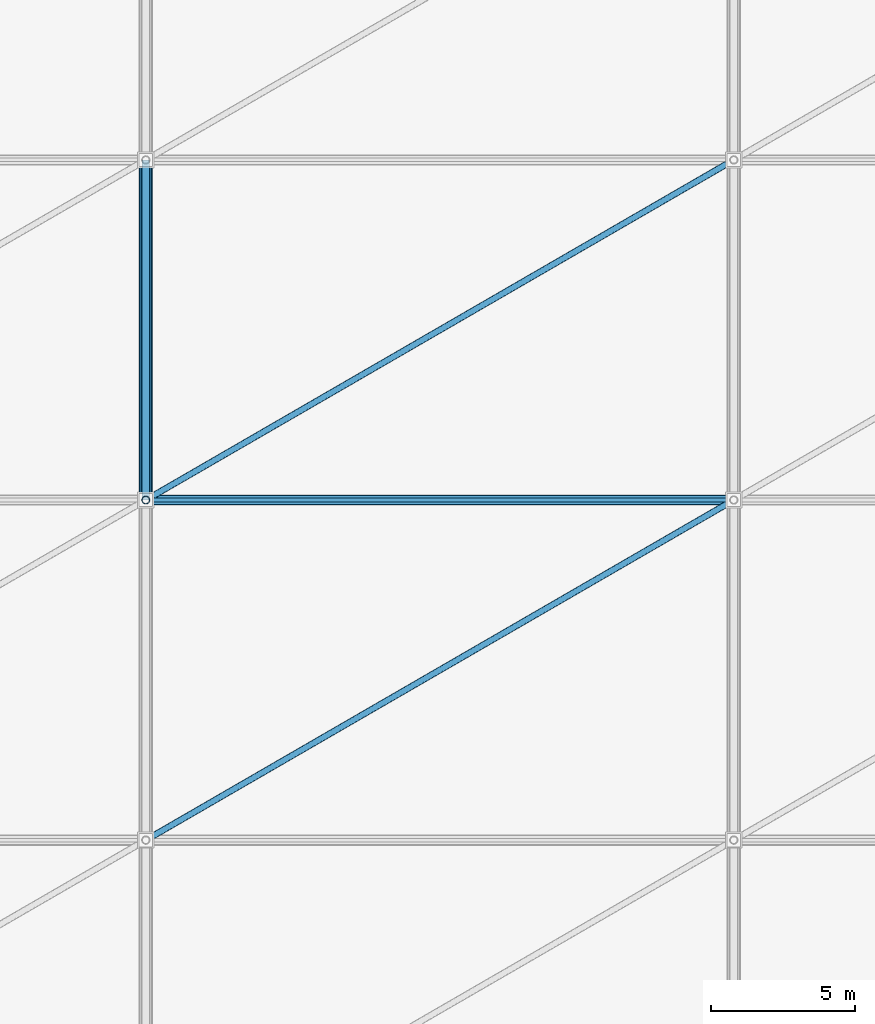
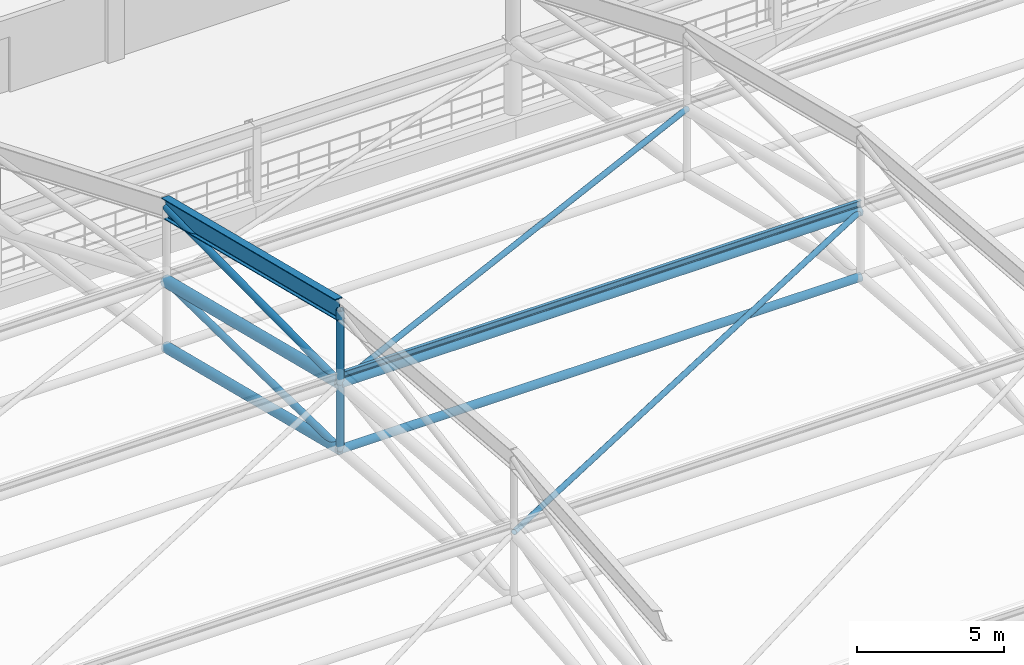
# One storey, part 26 of 135: 11 members, 1 beam.
"""IFC4 building model written with IfcOpenShell, lengths in metres."""

from ifc_helpers import new_model, si_unit, direction, frame, origin, origin_2d, place, context, subcontext, project, spatial, hollow_circle, i_section, extrude, material, material_profile, profile_set, type_object, element, save


model = new_model("IFC4")

# Units and contexts
model_context = context("Model", 3, precision=1e-05, world=origin(), true_north=direction((0.0, 1.0)))
body_context = subcontext(model_context, "Body", "Model", "MODEL_VIEW")
ifc_project = project(units=[si_unit("LENGTHUNIT", "METRE"), si_unit("AREAUNIT", "SQUARE_METRE"), si_unit("VOLUMEUNIT", "CUBIC_METRE"), si_unit("PLANEANGLEUNIT", "RADIAN"), si_unit("MASSUNIT", "GRAM", prefix="KILO")], contexts=[model_context])

# Site, building, storey
site_placement = place(None, origin())
site = spatial("IfcSite", under=ifc_project, at=site_placement, CompositionType="ELEMENT")
building_placement = place(site_placement, origin())
building = spatial("IfcBuilding", under=site, at=building_placement, Name="Brelvane Convention Centre", CompositionType="ELEMENT")
storey_placement = place(building_placement, frame((0.0, 0.0, 15.0)))
storey = spatial("IfcBuildingStorey", under=building, at=storey_placement, Name="L03", CompositionType="ELEMENT", Elevation=15.0)

# Beam
ifc_material_1 = material(Name="Steel E450 (450 MPa)", Category="steel")
ifc_material_profile_1 = material_profile(ifc_material_1, i_section(OverallWidth=0.300048828125, OverallDepth=0.800048828125, WebThickness=0.015380859375, FlangeThickness=0.030029296875, FilletRadius=0.027099609375, at=origin_2d()), Name="NPB 800x300")
ifc_profile_set_1 = profile_set([ifc_material_profile_1], Name="Steel E450 (450 MPa)")
beam_type = type_object("IfcBeamType", Name="Steel Beam B-ST2 (NPB 800x300)", PredefinedType="BEAM", material=ifc_profile_set_1)
beam_placement = place(storey_placement, frame((20.39990234375, 76.0, 13.22216796875), z_axis=(0.0, 0.970464083196, -0.241245649134), x_axis=(-1.0, 0.0, 0.0)))
element("IfcBeam", 1, at=beam_placement, inside=storey, type_object=beam_type, Name="EXO_EXH Exoskeletal Arch Girder 2.5", PredefinedType="BEAM", context=body_context, shape_type="SweptSolid", body=[
    extrude(i_section(OverallWidth=0.300048828125, OverallDepth=0.800048828125, WebThickness=0.015380859375, FlangeThickness=0.030029296875, FilletRadius=0.027099609375, at=origin_2d()), origin(), (0.0, 0.0, 1.0), 12.1591796875),
])

# Members
ifc_material_2 = material(Name="Steel E350 (350 MPa)", Category="steel")
ifc_material_profile_2 = material_profile(ifc_material_2, hollow_circle(Radius=0.136474609375, WallThickness=0.012451171875, at=origin_2d()), Name="CHS 273.0x12.5")
ifc_profile_set_2 = profile_set([ifc_material_profile_2], Name="Steel E350 (350 MPa)")
member_type_1 = type_object("IfcMemberType", Name="Steel Brace SF-DG1 (CHS 273.0x12.5)", PredefinedType="BRACE", material=ifc_profile_set_2)
member_1_placement = place(storey_placement, frame((20.39990234375, 76.0, 7.422119140625), z_axis=(0.0, 0.99986610997, -0.016363438913), x_axis=(-1.0, 0.0, 0.0)))
element("IfcMember", 2, at=member_1_placement, inside=storey, type_object=member_type_1, Name="SF_EXH Space-Frame Web Diagonal D2.5", PredefinedType="BRACE", context=body_context, shape_type="SweptSolid", body=[
    extrude(hollow_circle(Radius=0.136474609375, WallThickness=0.012451171875, at=origin_2d()), origin(), (0.0, 0.0, 1.0), 11.801513671875),
])
member_2_placement = place(storey_placement, frame((20.39990234375, 76.0, 10.162109375), z_axis=(0.0, 0.999942352609, 0.010737386072), x_axis=(-1.0, 0.0, 0.0)))
element("IfcMember", 3, at=member_2_placement, inside=storey, type_object=member_type_1, Name="EXO_EXH Exoskeletal Arch Web 2.5", PredefinedType="BRACE", context=body_context, shape_type="SweptSolid", body=[
    extrude(hollow_circle(Radius=0.136474609375, WallThickness=0.012451171875, at=origin_2d()), origin(), (0.0, 0.0, 1.0), 11.80078125),
])
ifc_material_3 = material(Name="Steel E350 (350 MPa)", Category="steel")
ifc_material_profile_3 = material_profile(ifc_material_3, hollow_circle(Radius=0.109619140625, WallThickness=0.010009765625, at=origin_2d()), Name="CHS 219.1x10.0")
ifc_profile_set_3 = profile_set([ifc_material_profile_3], Name="Steel E350 (350 MPa)")
member_type_2 = type_object("IfcMemberType", Name="Steel Brace SF-DG2 (CHS 219.1x10.0)", PredefinedType="BRACE", material=ifc_profile_set_3)
member_3_placement = place(storey_placement, frame((20.39990234375, 64.199951171875, 11.139892578125), z_axis=(0.864876490486, 0.500270173346, -0.041453707493), x_axis=(-0.500700562715, 0.865620555727, 0.0)))
element("IfcMember", 4, at=member_3_placement, inside=storey, type_object=member_type_2, Name="SF_EXH Roof Diaphragm Brace PB2.4", PredefinedType="BRACE", context=body_context, shape_type="SweptSolid", body=[
    extrude(hollow_circle(Radius=0.109619140625, WallThickness=0.010009765625, at=origin_2d()), origin(), (0.0, 0.0, 1.0), 23.58740234375),
])
member_4_placement = place(storey_placement, frame((20.39990234375, 76.0, 10.162109375), z_axis=(0.858993332248, 0.496867180406, -0.123504899456), x_axis=(-0.500700562715, 0.865620555727, 0.0)))
element("IfcMember", 5, at=member_4_placement, inside=storey, type_object=member_type_2, Name="SF_EXH Roof Diaphragm Brace PB2.5", PredefinedType="BRACE", context=body_context, shape_type="SweptSolid", body=[
    extrude(hollow_circle(Radius=0.109619140625, WallThickness=0.010009765625, at=origin_2d()), origin(), (0.0, 0.0, 1.0), 23.748779296875),
])
ifc_material_4 = material(Name="Steel E450 (450 MPa)", Category="steel")
ifc_material_profile_4 = material_profile(ifc_material_4, hollow_circle(Radius=0.203125, WallThickness=0.01611328125, at=origin_2d()), Name="CHS 406.4x16.0")
ifc_profile_set_4 = profile_set([ifc_material_profile_4], Name="Steel E450 (450 MPa)")
member_type_3 = type_object("IfcMemberType", Name="Steel Chord SF-BC1 (CHS 406.4x16.0)", PredefinedType="CHORD", material=ifc_profile_set_4)
member_5_placement = place(storey_placement, frame((20.39990234375, 76.0, 7.422119140625), z_axis=(0.0, 0.970468783866, -0.241226738861), x_axis=(-1.0, 0.0, 0.0)))
element("IfcMember", 6, at=member_5_placement, inside=storey, type_object=member_type_3, Name="SF_EXH Space-Frame Bottom Chord B2.5", PredefinedType="CHORD", context=body_context, shape_type="SweptSolid", body=[
    extrude(hollow_circle(Radius=0.203125, WallThickness=0.01611328125, at=origin_2d()), origin(), (0.0, 0.0, 1.0), 12.1591796875),
])
ifc_material_5 = material(Name="Steel E350 (350 MPa)", Category="steel")
ifc_material_profile_5 = material_profile(ifc_material_5, hollow_circle(Radius=0.161865234375, WallThickness=0.012451171875, at=origin_2d()), Name="CHS 323.9x12.5")
ifc_profile_set_5 = profile_set([ifc_material_profile_5], Name="Steel E350 (350 MPa)")
member_type_4 = type_object("IfcMemberType", Name="Steel Chord SF-BC2 (CHS 323.9x12.5)", PredefinedType="CHORD", material=ifc_profile_set_5)
member_6_placement = place(storey_placement, frame((20.39990234375, 76.0, 7.422119140625), z_axis=(1.0, 0.0, 0.0), x_axis=(0.0, 1.0, 0.0)))
element("IfcMember", 7, at=member_6_placement, inside=storey, type_object=member_type_4, Name="SF_EXH Longitudinal Bottom Chord LB2.5", PredefinedType="CHORD", context=body_context, shape_type="SweptSolid", body=[
    extrude(hollow_circle(Radius=0.161865234375, WallThickness=0.012451171875, at=origin_2d()), origin(), (0.0, 0.0, 1.0), 20.400146484375),
])
ifc_material_6 = material(Name="Steel E450 (450 MPa)", Category="steel")
ifc_material_profile_6 = material_profile(ifc_material_6, hollow_circle(Radius=0.228515625, WallThickness=0.02001953125, at=origin_2d()), Name="CHS 457.0x20.0")
ifc_profile_set_6 = profile_set([ifc_material_profile_6], Name="Steel E450 (450 MPa)")
member_type_5 = type_object("IfcMemberType", Name="Steel Chord SF-TC1 (CHS 457.0x20.0)", PredefinedType="CHORD", material=ifc_profile_set_6)
member_7_placement = place(storey_placement, frame((20.39990234375, 76.0, 10.162109375), z_axis=(0.0, 0.970468783866, -0.241226738861), x_axis=(-1.0, 0.0, 0.0)))
element("IfcMember", 8, at=member_7_placement, inside=storey, type_object=member_type_5, Name="SF_EXH Space-Frame Top Chord T2.5", PredefinedType="CHORD", context=body_context, shape_type="SweptSolid", body=[
    extrude(hollow_circle(Radius=0.228515625, WallThickness=0.02001953125, at=origin_2d()), origin(), (0.0, 0.0, 1.0), 12.1591796875),
])
ifc_material_7 = material(Name="Steel E450 (450 MPa)", Category="steel")
ifc_material_profile_7 = material_profile(ifc_material_7, hollow_circle(Radius=0.177734375, WallThickness=0.01611328125, at=origin_2d()), Name="CHS 355.6x16.0")
ifc_profile_set_7 = profile_set([ifc_material_profile_7], Name="Steel E450 (450 MPa)")
member_type_6 = type_object("IfcMemberType", Name="Steel Chord SF-TC2 (CHS 355.6x16.0)", PredefinedType="CHORD", material=ifc_profile_set_7)
member_8_placement = place(storey_placement, frame((20.39990234375, 76.0, 10.162109375), z_axis=(1.0, 0.0, 0.0), x_axis=(0.0, 1.0, 0.0)))
element("IfcMember", 9, at=member_8_placement, inside=storey, type_object=member_type_6, Name="SF_EXH Longitudinal Top Chord LT2.5", PredefinedType="CHORD", context=body_context, shape_type="SweptSolid", body=[
    extrude(hollow_circle(Radius=0.177734375, WallThickness=0.01611328125, at=origin_2d()), origin(), (0.0, 0.0, 1.0), 20.400146484375),
])
ifc_material_8 = material(Name="Steel E350 (350 MPa)", Category="steel")
ifc_material_profile_8 = material_profile(ifc_material_8, i_section(OverallWidth=0.125, OverallDepth=0.25, WebThickness=0.0068359375, FlangeThickness=0.012451171875, FilletRadius=0.012939453125, at=origin_2d()), Name="ISMB 250")
ifc_profile_set_8 = profile_set([ifc_material_profile_8], Name="Steel E350 (350 MPa)")
member_type_7 = type_object("IfcMemberType", Name="Steel Purlin PR-ST1 (ISMB 250)", PredefinedType="PURLIN", material=ifc_profile_set_8)
member_9_placement = place(storey_placement, frame((20.39990234375, 76.0, 10.497314453125), z_axis=(1.0, 0.0, 0.0), x_axis=(0.0, 1.0, 0.0)))
element("IfcMember", 10, at=member_9_placement, inside=storey, type_object=member_type_7, Name="SF_EXH Roof Purlin P2.5", PredefinedType="PURLIN", context=body_context, shape_type="SweptSolid", body=[
    extrude(i_section(OverallWidth=0.125, OverallDepth=0.25, WebThickness=0.0068359375, FlangeThickness=0.012451171875, FilletRadius=0.012939453125, at=origin_2d()), origin(), (0.0, 0.0, 1.0), 20.400146484375),
])
ifc_material_9 = material(Name="Steel E350 (350 MPa)", Category="steel")
ifc_material_profile_9 = material_profile(ifc_material_9, hollow_circle(Radius=0.136474609375, WallThickness=0.012451171875, at=origin_2d()), Name="CHS 273.0x12.5")
ifc_profile_set_9 = profile_set([ifc_material_profile_9], Name="Steel E350 (350 MPa)")
member_type_8 = type_object("IfcMemberType", Name="Steel Strut SF-VT1 (CHS 273.0x12.5)", PredefinedType="STRUT", material=ifc_profile_set_9)
member_10_placement = place(storey_placement, frame((20.39990234375, 76.0, 7.422119140625), z_axis=(0.0, 0.0, 1.0), x_axis=(1.0, 0.0, 0.0)))
element("IfcMember", 11, at=member_10_placement, inside=storey, type_object=member_type_8, Name="SF_EXH Space-Frame Post V2.4", PredefinedType="STRUT", context=body_context, shape_type="SweptSolid", body=[
    extrude(hollow_circle(Radius=0.136474609375, WallThickness=0.012451171875, at=origin_2d()), origin(), (0.0, 0.0, 1.0), 2.739990234375),
])
member_11_placement = place(storey_placement, frame((20.39990234375, 76.0, 10.162109375), z_axis=(0.0, 0.0, 1.0), x_axis=(1.0, 0.0, 0.0)))
element("IfcMember", 12, at=member_11_placement, inside=storey, type_object=member_type_8, Name="EXO_EXH Roof Suspension Hanger 2.4", PredefinedType="STRUT", context=body_context, shape_type="SweptSolid", body=[
    extrude(hollow_circle(Radius=0.136474609375, WallThickness=0.012451171875, at=origin_2d()), origin(), (0.0, 0.0, 1.0), 3.06005859375),
])

save(model, "model.ifc")
